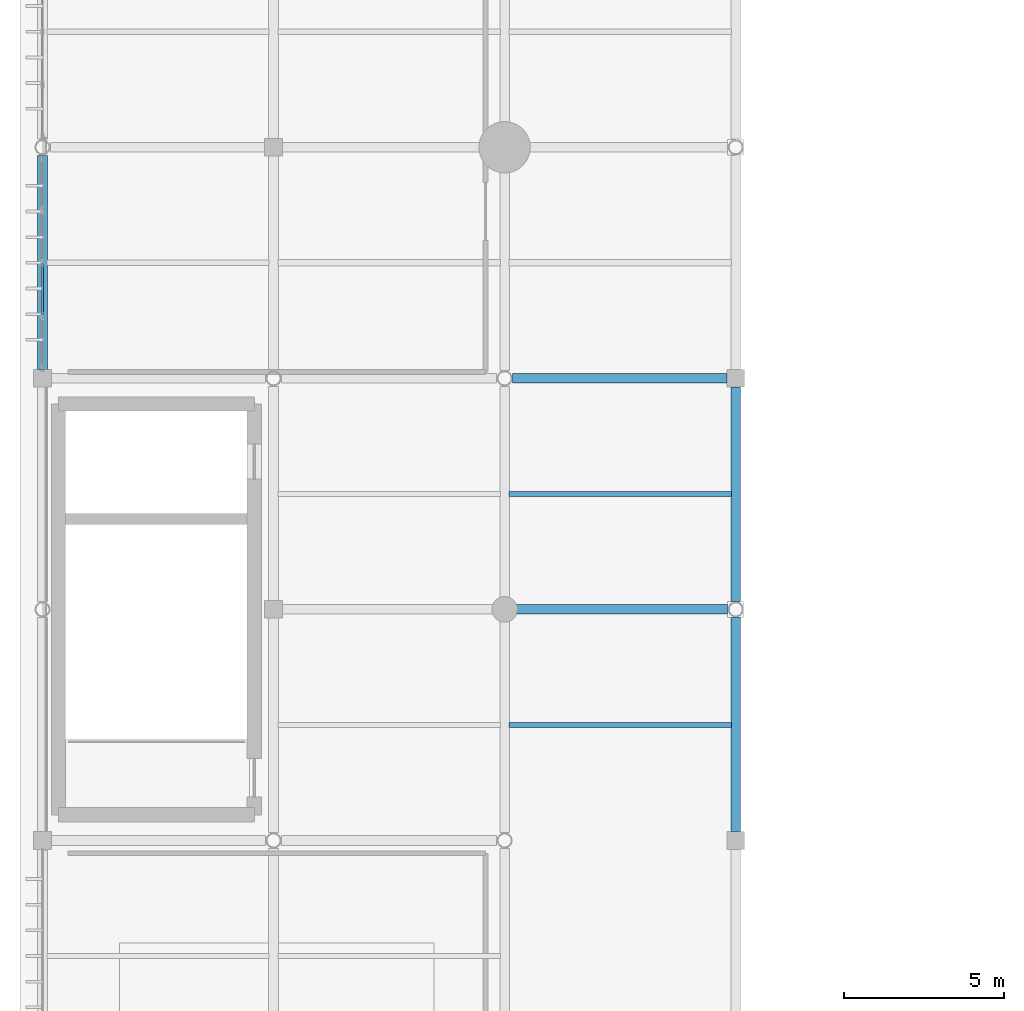
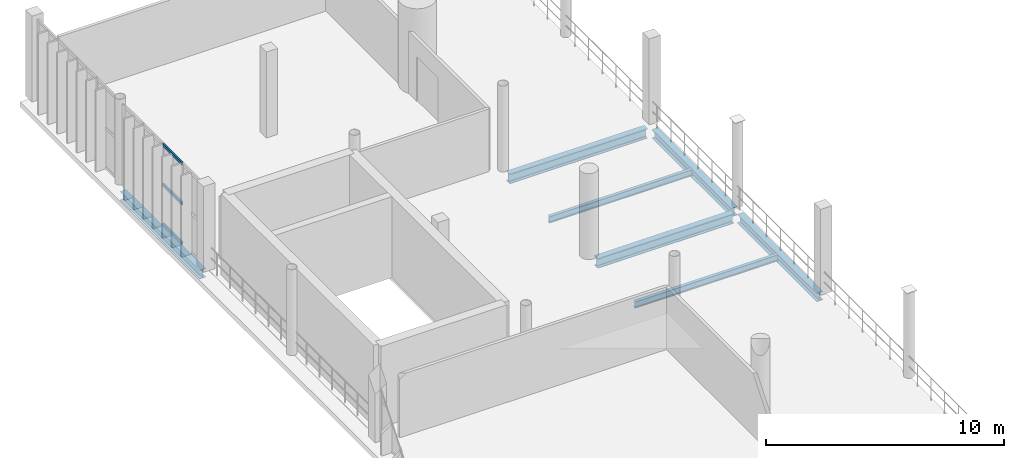
# One storey, part 37 of 81: 7 beams, 3 members, 1 element without a shape of its own.
"""IFC4 building model written with IfcOpenShell, lengths in metres."""

from ifc_helpers import new_model, si_unit, direction, frame, origin, origin_2d, place, context, subcontext, project, spatial, hollow_rectangle, i_section, extrude, material, material_profile, profile_set, type_object, element, aggregate, save


model = new_model("IFC4")

# Units and contexts
model_context = context("Model", 3, precision=1e-05, world=origin(), true_north=direction((0.0, 1.0)))
body_context = subcontext(model_context, "Body", "Model", "MODEL_VIEW")
ifc_project = project(units=[si_unit("LENGTHUNIT", "METRE"), si_unit("AREAUNIT", "SQUARE_METRE"), si_unit("VOLUMEUNIT", "CUBIC_METRE"), si_unit("PLANEANGLEUNIT", "RADIAN"), si_unit("MASSUNIT", "GRAM", prefix="KILO")], contexts=[model_context])

# Site, building, storey
site_placement = place(None, origin())
site = spatial("IfcSite", under=ifc_project, at=site_placement, CompositionType="ELEMENT")
building_placement = place(site_placement, origin())
building = spatial("IfcBuilding", under=site, at=building_placement, Name="Qandorah Velis Arena", CompositionType="ELEMENT")
storey_placement = place(building_placement, frame((0.0, 0.0, 18.60009765625)))
storey = spatial("IfcBuildingStorey", under=building, at=storey_placement, Name="L04", CompositionType="ELEMENT", Elevation=18.60009765625)

# Curtain wall, members
ifc_material_1 = material(Name="Solar-control low-E double glazing", Category="glass")
curtain_wall_type = type_object("IfcCurtainWallType", Name="ARC-CW-SYS13", PredefinedType="USERDEFINED", material=ifc_material_1)
curtain_wall_placement = place(storey_placement, origin())
curtain_wall = element("IfcCurtainWall", 1, at=curtain_wall_placement, inside=storey, type_object=curtain_wall_type, Name="Unitised curtain wall L04-037", ObjectType="UNITISED CURTAIN WALL", PredefinedType="USERDEFINED")
ifc_material_2 = material(Name="Champagne-bronze anodized aluminium 6063-T6", Category="aluminium")
ifc_material_profile_1 = material_profile(ifc_material_2, hollow_rectangle(XDim=0.074951171875, YDim=0.159912109375, WallThickness=0.00341796875, at=origin_2d()), Name="ALU TRANSOM 75x160")
ifc_profile_set_1 = profile_set([ifc_material_profile_1], Name="Champagne-bronze anodized aluminium 6063-T6")
member_type = type_object("IfcMemberType", Name="ARC-CWT-160", PredefinedType="USERDEFINED", material=ifc_profile_set_1)
member_1_placement = place(storey_placement, frame((0.0, 95.575439453125, 0.037353515625), z_axis=(0.0, 1.0, 0.0), x_axis=(-1.0, 0.0, 0.0)))
member_1 = element("IfcMember", 2, at=member_1_placement, type_object=member_type, Name="CW13 transom 2.1", ObjectType="TRANSOM", PredefinedType="USERDEFINED", context=body_context, shape_type="SweptSolid", body=[
    extrude(hollow_rectangle(XDim=0.074951171875, YDim=0.159912109375, WallThickness=0.00341796875, at=origin_2d()), origin(), (0.0, 0.0, 1.0), 1.59912109375),
])
member_2_placement = place(storey_placement, frame((0.0, 95.575439453125, 2.074951171875), z_axis=(0.0, 1.0, 0.0), x_axis=(-1.0, 0.0, 0.0)))
member_2 = element("IfcMember", 3, at=member_2_placement, type_object=member_type, Name="CW13 transom 2.2", ObjectType="TRANSOM", PredefinedType="USERDEFINED", context=body_context, shape_type="SweptSolid", body=[
    extrude(hollow_rectangle(XDim=0.074951171875, YDim=0.159912109375, WallThickness=0.00341796875, at=origin_2d()), origin(), (0.0, 0.0, 1.0), 1.59912109375),
])
member_3_placement = place(storey_placement, frame((0.0, 95.575439453125, 4.1123046875), z_axis=(0.0, 1.0, 0.0), x_axis=(-1.0, 0.0, 0.0)))
member_3 = element("IfcMember", 4, at=member_3_placement, type_object=member_type, Name="CW13 transom 2.3", ObjectType="TRANSOM", PredefinedType="USERDEFINED", context=body_context, shape_type="SweptSolid", body=[
    extrude(hollow_rectangle(XDim=0.074951171875, YDim=0.159912109375, WallThickness=0.00341796875, at=origin_2d()), origin(), (0.0, 0.0, 1.0), 1.59912109375),
])
aggregate(curtain_wall, [member_1, member_2, member_3])

# Beams
ifc_material_3 = material(Name="Steel S355", Category="steel")
ifc_material_profile_2 = material_profile(ifc_material_3, i_section(OverallWidth=0.300048828125, OverallDepth=0.449951171875, WebThickness=0.013916015625, FlangeThickness=0.02587890625, FilletRadius=0.027099609375, at=origin_2d()), Name="HEB 450")
ifc_profile_set_2 = profile_set([ifc_material_profile_2], Name="Steel S355")
beam_type_1 = type_object("IfcBeamType", Name="STR-BM-HEB450", PredefinedType="BEAM", material=ifc_profile_set_2)
beam_1_placement = place(storey_placement, frame((0.0, 93.875, -0.4951171875), z_axis=(0.0, 1.0, 0.0), x_axis=(-1.0, 0.0, 0.0)))
element("IfcBeam", 5, at=beam_1_placement, inside=storey, type_object=beam_type_1, Name="Primary floor girder L04 Y-156", PredefinedType="BEAM", context=body_context, shape_type="SweptSolid", body=[
    extrude(i_section(OverallWidth=0.300048828125, OverallDepth=0.449951171875, WebThickness=0.013916015625, FlangeThickness=0.02587890625, FilletRadius=0.027099609375, at=origin_2d()), origin(), (0.0, 0.0, 1.0), 6.675048828125),
])
beam_2_placement = place(storey_placement, frame((21.60009765625, 79.47509765625, -0.4951171875), z_axis=(0.0, 1.0, 0.0), x_axis=(-1.0, 0.0, 0.0)))
element("IfcBeam", 6, at=beam_2_placement, inside=storey, type_object=beam_type_1, Name="Primary floor girder L04 Y-191", PredefinedType="BEAM", context=body_context, shape_type="SweptSolid", body=[
    extrude(i_section(OverallWidth=0.300048828125, OverallDepth=0.449951171875, WebThickness=0.013916015625, FlangeThickness=0.02587890625, FilletRadius=0.027099609375, at=origin_2d()), origin(), (0.0, 0.0, 1.0), 6.6748046875),
])
beam_3_placement = place(storey_placement, frame((21.60009765625, 86.64990234375, -0.4951171875), z_axis=(0.0, 1.0, 0.0), x_axis=(-1.0, 0.0, 0.0)))
element("IfcBeam", 7, at=beam_3_placement, inside=storey, type_object=beam_type_1, Name="Primary floor girder L04 Y-192", PredefinedType="BEAM", context=body_context, shape_type="SweptSolid", body=[
    extrude(i_section(OverallWidth=0.300048828125, OverallDepth=0.449951171875, WebThickness=0.013916015625, FlangeThickness=0.02587890625, FilletRadius=0.027099609375, at=origin_2d()), origin(), (0.0, 0.0, 1.0), 6.675048828125),
])
ifc_material_profile_3 = material_profile(ifc_material_3, i_section(OverallWidth=0.300048828125, OverallDepth=0.5, WebThickness=0.014404296875, FlangeThickness=0.028076171875, FilletRadius=0.027099609375, at=origin_2d()), Name="HEB 500")
ifc_profile_set_3 = profile_set([ifc_material_profile_3], Name="Steel S355")
beam_type_2 = type_object("IfcBeamType", Name="STR-BM-HEB500", PredefinedType="BEAM", material=ifc_profile_set_3)
beam_4_placement = place(storey_placement, frame((14.75, 86.39990234375, -0.52001953125), z_axis=(1.0, 0.0, 0.0), x_axis=(0.0, 1.0, 0.0)))
element("IfcBeam", 8, at=beam_4_placement, inside=storey, type_object=beam_type_2, Name="Primary floor girder L04 X-087", PredefinedType="BEAM", context=body_context, shape_type="SweptSolid", body=[
    extrude(i_section(OverallWidth=0.300048828125, OverallDepth=0.5, WebThickness=0.014404296875, FlangeThickness=0.028076171875, FilletRadius=0.027099609375, at=origin_2d()), origin(), (0.0, 0.0, 1.0), 6.60009765625),
])
beam_5_placement = place(storey_placement, frame((14.64990234375, 93.60009765625, -0.52001953125), z_axis=(1.0, 0.0, 0.0), x_axis=(0.0, 1.0, 0.0)))
element("IfcBeam", 9, at=beam_5_placement, inside=storey, type_object=beam_type_2, Name="Primary floor girder L04 X-093", PredefinedType="BEAM", context=body_context, shape_type="SweptSolid", body=[
    extrude(i_section(OverallWidth=0.300048828125, OverallDepth=0.5, WebThickness=0.014404296875, FlangeThickness=0.028076171875, FilletRadius=0.027099609375, at=origin_2d()), origin(), (0.0, 0.0, 1.0), 6.675048828125),
])
ifc_material_profile_4 = material_profile(ifc_material_3, i_section(OverallWidth=0.159912109375, OverallDepth=0.330078125, WebThickness=0.007568359375, FlangeThickness=0.011474609375, FilletRadius=0.01806640625, at=origin_2d()), Name="IPE 330")
ifc_profile_set_4 = profile_set([ifc_material_profile_4], Name="Steel S355")
beam_type_3 = type_object("IfcBeamType", Name="STR-JST-IPE330", PredefinedType="JOIST", material=ifc_profile_set_4)
for number, where, z_axis, x_axis, name in (
    (10, (14.534912109375, 82.800048828125, -0.43505859375), (1.0, 0.0, 0.0), (0.0, 1.0, 0.0), "Secondary floor joist L04-027"),
    (11, (14.534912109375, 90.0, -0.43505859375), (1.0, 0.0, 0.0), (0.0, 1.0, 0.0), "Secondary floor joist L04-028"),
):
    element("IfcBeam", number, at=place(storey_placement, frame(where, z_axis=z_axis, x_axis=x_axis)), inside=storey, type_object=beam_type_3, Name=name, PredefinedType="JOIST", context=body_context, shape_type="SweptSolid", body=[
        extrude(i_section(OverallWidth=0.159912109375, OverallDepth=0.330078125, WebThickness=0.007568359375, FlangeThickness=0.011474609375, FilletRadius=0.01806640625, at=origin_2d()), origin(), (0.0, 0.0, 1.0), 6.93017578125),
    ])

save(model, "model.ifc")
